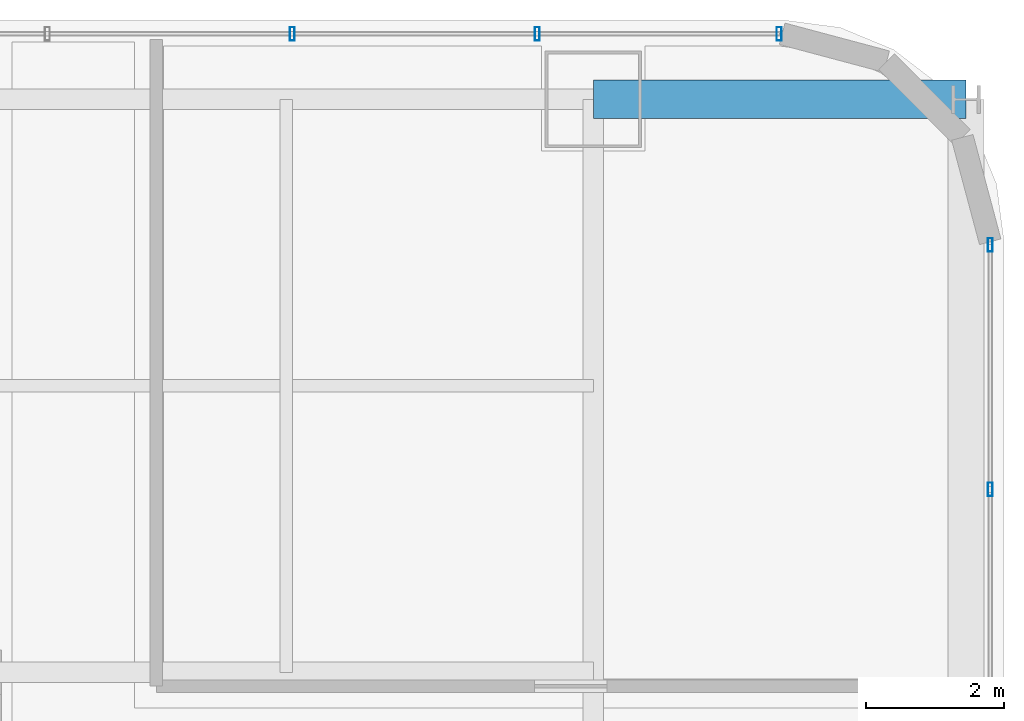
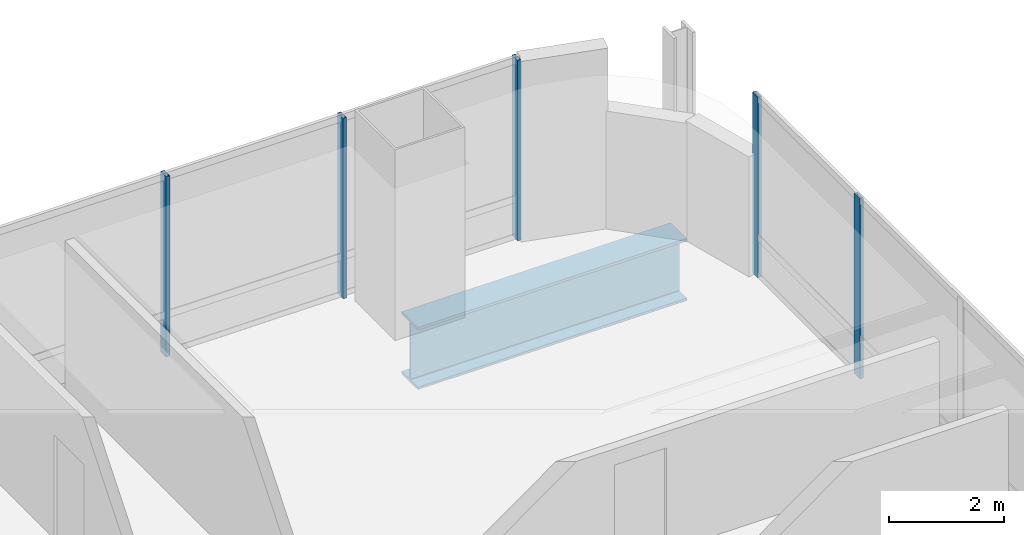
# One storey, part 27 of 37: 5 members, 1 beam, 2 elements without a shape of their own.
"""IFC4 building model written with IfcOpenShell, lengths in metres."""

import ifcopenshell
import ifcopenshell.guid

model = None  # the IFC model being written
_history = None  # IfcOwnerHistory: only IFC2X3 demands one
_inside = {}  # id of a spatial element -> (the spatial element, [elements in it])
_under = {}  # id of a project, library or spatial element -> (it, [spatial elements below it])
_declared = {}  # id of a project -> (the project, [libraries it declares])
_typed = {}  # id of a type object -> (the type object, [elements of that type])
_made_of = {}  # id of a material, layer set ... -> (it, [elements and type objects made of it])


def new_model(schema):
    """Start an empty IFC model of exactly this schema.

    Asked for "IFC4X3", IfcOpenShell would pick the latest addendum, in which some entities
    have other attributes; the version numbers below select the first issue.
    IFC2X3 requires an IfcOwnerHistory on every rooted entity: one is made here for all.
    """
    global model, _history
    if schema == "IFC4X3":
        model = ifcopenshell.file(schema_version=(4, 3, 0, 0))
    else:
        model = ifcopenshell.file(schema=schema)
    _inside.clear()
    _under.clear()
    _declared.clear()
    _typed.clear()
    _made_of.clear()
    _history = None
    if model.schema == "IFC2X3":
        org = make("IfcOrganization", Name="unknown")
        user = make(
            "IfcPersonAndOrganization",
            ThePerson=make("IfcPerson", FamilyName="unknown"),
            TheOrganization=org,
        )
        app = make(
            "IfcApplication",
            ApplicationDeveloper=org,
            Version="unknown",
            ApplicationFullName="unknown",
            ApplicationIdentifier="unknown",
        )
        _history = make(
            "IfcOwnerHistory",
            OwningUser=user,
            OwningApplication=app,
            ChangeAction="ADDED",
            CreationDate=0,
        )
    return model


def make(cls, **values):
    """One entity of the class cls with the attributes given. An attribute that is None is left unset."""
    return model.create_entity(
        cls, **{name: value for name, value in values.items() if value is not None}
    )


def rooted(cls, **values):
    """An entity with a GlobalId (a new one), such as an element, a storey or a relation."""
    return make(cls, GlobalId=ifcopenshell.guid.new(), OwnerHistory=_history, **values)


def si_unit(unit_type, name, prefix=None):
    """IfcSIUnit, for example si_unit("LENGTHUNIT", "METRE", prefix="MILLI")."""
    return make("IfcSIUnit", UnitType=unit_type, Prefix=prefix, Name=name)


def assignment(units):
    """IfcUnitAssignment: the units of a project."""
    return None if units is None else make("IfcUnitAssignment", Units=units)


def point(xyz):
    """IfcCartesianPoint."""
    return None if xyz is None else make("IfcCartesianPoint", Coordinates=xyz)


def direction(xyz):
    """IfcDirection."""
    return None if xyz is None else make("IfcDirection", DirectionRatios=xyz)


def frame(location, z_axis=None, x_axis=None):
    """IfcAxis2Placement3D, a coordinate frame: its origin and axes. An axis left out is left unset."""
    return make(
        "IfcAxis2Placement3D",
        Location=point(location),
        Axis=direction(z_axis),
        RefDirection=direction(x_axis),
    )


def frame_2d(location, x_axis=None):
    """IfcAxis2Placement2D, a coordinate frame in the plane: its origin and x axis."""
    return make(
        "IfcAxis2Placement2D", Location=point(location), RefDirection=direction(x_axis)
    )


def origin():
    """The frame at (0, 0, 0) with its axes left unset."""
    return frame((0.0, 0.0, 0.0))


def origin_2d():
    """The frame at (0, 0) in the plane with its x axis left unset."""
    return frame_2d((0.0, 0.0))


def place(relative_to, where):
    """IfcLocalPlacement: puts the frame where relative to a parent placement (None: the world)."""
    return make(
        "IfcLocalPlacement", PlacementRelTo=relative_to, RelativePlacement=where
    )


def context(
    kind, dimensions, precision=None, world=None, true_north=None, identifier=None
):
    """IfcGeometricRepresentationContext, for example the 3D "Model" context."""
    return make(
        "IfcGeometricRepresentationContext",
        ContextIdentifier=identifier,
        ContextType=kind,
        CoordinateSpaceDimension=dimensions,
        Precision=precision,
        WorldCoordinateSystem=world,
        TrueNorth=true_north,
    )


def subcontext(parent, identifier, kind, view, scale=None):
    """IfcGeometricRepresentationSubContext, for example "Body" below "Model"."""
    return make(
        "IfcGeometricRepresentationSubContext",
        ContextIdentifier=identifier,
        ContextType=kind,
        ParentContext=parent,
        TargetScale=scale,
        TargetView=view,
    )


def project(units=None, contexts=None):
    """IfcProject with its units and contexts."""
    return rooted(
        "IfcProject",
        Name="project",
        RepresentationContexts=contexts,
        UnitsInContext=assignment(units),
    )


def spatial(cls, under=None, at=None, **own):
    """A site, building, storey or space (cls), placed at a placement, below another one or the project."""
    s = rooted(cls, ObjectPlacement=at, **own)
    if under is not None:
        _under.setdefault(under.id(), (under, []))[1].append(s)
    return s


def profile(cls, at=None, kind="AREA", **sizes):
    """A parametric profile (cls). Its sizes go by their IFC names, for example OverallWidth=200.0."""
    return make(cls, ProfileType=kind, Position=at, **sizes)


def hollow_rectangle(**sizes):
    """IfcRectangleHollowProfileDef."""
    return profile("IfcRectangleHollowProfileDef", **sizes)


def i_section(**sizes):
    """IfcIShapeProfileDef."""
    return profile("IfcIShapeProfileDef", **sizes)


def extrude(swept, where, along, depth):
    """IfcExtrudedAreaSolid: the profile swept, set in the frame where, extruded along a direction by depth."""
    return make(
        "IfcExtrudedAreaSolid",
        SweptArea=swept,
        Position=where,
        ExtrudedDirection=direction(along),
        Depth=depth,
    )


def shape(context_of_items, identifier, shape_type, items):
    """IfcShapeRepresentation: the items that make up one representation, for example the "Body"."""
    return make(
        "IfcShapeRepresentation",
        ContextOfItems=context_of_items,
        RepresentationIdentifier=identifier,
        RepresentationType=shape_type,
        Items=items,
    )


def material(Name=None, Category=None):
    """IfcMaterial."""
    return make("IfcMaterial", Name=Name, Category=Category)


def material_profile(
    of_material, cross_section, Name=None, Category=None, Priority=None
):
    """IfcMaterialProfile: a cross section and its material."""
    return make(
        "IfcMaterialProfile",
        Name=Name,
        Material=of_material,
        Profile=cross_section,
        Priority=Priority,
        Category=Category,
    )


def profile_set(profiles, Name=None, composite=None):
    """IfcMaterialProfileSet."""
    return make(
        "IfcMaterialProfileSet",
        Name=Name,
        MaterialProfiles=profiles,
        CompositeProfile=composite,
    )


def made_of(thing, what):
    """Note that an element or type object is made of a material, layer set ...; save() writes the relation."""
    if what is not None:
        _made_of.setdefault(what.id(), (what, []))[1].append(thing)
    return thing


def type_object(cls, material=None, **own):
    """A type object (cls), such as IfcWallType, which elements share."""
    return made_of(rooted(cls, **own), material)


def element(
    cls,
    number,
    at=None,
    inside=None,
    cuts=None,
    type_object=None,
    material=None,
    context=None,
    identifier="Body",
    shape_type=None,
    held_by="IfcProductDefinitionShape",
    body=None,
    shapes=None,
    **own,
):
    """One element of the class cls, such as IfcWall. Its Tag is "e" and its number.

    at: its placement. inside: the storey or other place that contains it. cuts: it is an
    opening in that element (IfcRelVoidsElement). A single representation is given by context,
    identifier, shape_type and body (its items); several are given by shapes. held_by: the class
    of the entity that holds the representations. save() writes the other relations.
    """
    e = rooted(cls, Tag="e%d" % number, ObjectPlacement=at, **own)
    if body is not None:
        shapes = [shape(context, identifier, shape_type, body)]
    if shapes is not None:
        e.Representation = make(held_by, Representations=shapes)
    if inside is not None:
        _inside.setdefault(inside.id(), (inside, []))[1].append(e)
    if cuts is not None:
        rooted(
            "IfcRelVoidsElement", RelatingBuildingElement=cuts, RelatedOpeningElement=e
        )
    if type_object is not None:
        _typed.setdefault(type_object.id(), (type_object, []))[1].append(e)
    return made_of(e, material)


def aggregate(whole, parts):
    """IfcRelAggregates: a whole, such as a stair, and the parts it consists of."""
    return rooted("IfcRelAggregates", RelatingObject=whole, RelatedObjects=parts)


def save(model, path):
    """Write the relations noted so far, then the file.

    IfcRelAggregates (storeys below a building ...), IfcRelContainedInSpatialStructure (elements
    in a storey), IfcRelDefinesByType, IfcRelAssociatesMaterial and IfcRelDeclares: one each for
    every whole, place, type object, material and project.
    """
    for whole, parts in _under.values():
        aggregate(whole, parts)
    for where, things in _inside.values():
        rooted(
            "IfcRelContainedInSpatialStructure",
            RelatedElements=things,
            RelatingStructure=where,
        )
    for kind, things in _typed.values():
        rooted("IfcRelDefinesByType", RelatedObjects=things, RelatingType=kind)
    for what, things in _made_of.values():
        rooted("IfcRelAssociatesMaterial", RelatedObjects=things, RelatingMaterial=what)
    for by, libraries in _declared.values():
        rooted("IfcRelDeclares", RelatingContext=by, RelatedDefinitions=libraries)
    model.write(path)


model = new_model("IFC4")

# Units and contexts
model_context = context("Model", 3, precision=1e-05, world=origin(), true_north=direction((0.0, 1.0)))
body_context = subcontext(model_context, "Body", "Model", "MODEL_VIEW")
ifc_project = project(units=[si_unit("LENGTHUNIT", "METRE"), si_unit("AREAUNIT", "SQUARE_METRE"), si_unit("VOLUMEUNIT", "CUBIC_METRE"), si_unit("PLANEANGLEUNIT", "RADIAN"), si_unit("MASSUNIT", "GRAM", prefix="KILO")], contexts=[model_context])

# Site, building, storey
site_placement = place(None, origin())
site = spatial("IfcSite", under=ifc_project, at=site_placement, CompositionType="ELEMENT")
building_placement = place(site_placement, origin())
building = spatial("IfcBuilding", under=site, at=building_placement, Name="Punatoya Terracotta Tower", CompositionType="ELEMENT")
storey_placement = place(building_placement, frame((0.0, 0.0, 224.85009765625)))
storey = spatial("IfcBuildingStorey", under=building, at=storey_placement, Name="L53", CompositionType="ELEMENT", Elevation=224.85009765625)

# Beam
ifc_material_1 = material(Name="Steel S460", Category="steel")
ifc_material_profile_1 = material_profile(ifc_material_1, i_section(OverallWidth=0.56005859375, OverallDepth=1.320068359375, WebThickness=0.035888671875, FlangeThickness=0.054931640625, FilletRadius=0.01806640625, at=origin_2d()))
ifc_profile_set_1 = profile_set([ifc_material_profile_1], Name="Steel S460")
beam_type = type_object("IfcBeamType", Name="BM-TG-BLK", PredefinedType="BEAM", material=ifc_profile_set_1)
beam_placement = place(storey_placement, frame((19.10009765625, 17.5, -0.880126953125), z_axis=(1.0, 0.0, 0.0), x_axis=(0.0, 1.0, 0.0)))
element("IfcBeam", 1, at=beam_placement, inside=storey, type_object=beam_type, Name="BM-L53-CANT-E4", PredefinedType="BEAM", context=body_context, shape_type="SweptSolid", body=[
    extrude(i_section(OverallWidth=0.56005859375, OverallDepth=1.320068359375, WebThickness=0.035888671875, FlangeThickness=0.054931640625, FilletRadius=0.01806640625, at=origin_2d()), origin(), (0.0, 0.0, 1.0), 5.39990234375),
])

# Curtain wall, members
ifc_material_2 = material(Name="Aluminium 6063-T6 + Double Low-E Glass", Category="aluminium")
curtain_wall_type = type_object("IfcCurtainWallType", Name="CW-M2", PredefinedType="NOTDEFINED", material=ifc_material_2)
curtain_wall_1_placement = place(storey_placement, origin())
curtain_wall_1 = element("IfcCurtainWall", 2, at=curtain_wall_1_placement, inside=storey, type_object=curtain_wall_type, Name="L53 Curtain Wall CW-L53-E04-1", PredefinedType="NOTDEFINED")
ifc_material_3 = material(Name="Aluminium 6063-T6", Category="aluminium")
ifc_material_profile_2 = material_profile(ifc_material_3, hollow_rectangle(XDim=0.072021484375, YDim=0.195068359375, WallThickness=0.00439453125, at=origin_2d()))
ifc_profile_set_2 = profile_set([ifc_material_profile_2], Name="Aluminium 6063-T6")
member_type = type_object("IfcMemberType", Name="CW-MUL-M2", PredefinedType="MULLION", material=ifc_profile_set_2)
member_1_placement = place(storey_placement, frame((24.85009765625, 11.849609375, 0.0), z_axis=(0.0, 0.0, 1.0), x_axis=(1.0, 0.0, 0.0)))
member_1 = element("IfcMember", 3, at=member_1_placement, type_object=member_type, Name="CW-L53-E04-1 Mullion 08", PredefinedType="MULLION", context=body_context, shape_type="SweptSolid", body=[
    extrude(hollow_rectangle(XDim=0.072021484375, YDim=0.195068359375, WallThickness=0.00439453125, at=origin_2d()), origin(), (0.0, 0.0, 1.0), 3.829833984375),
])
member_2_placement = place(storey_placement, frame((24.85009765625, 15.391845703125, 0.0), z_axis=(0.0, 0.0, 1.0), x_axis=(1.0, 0.0, 0.0)))
member_2 = element("IfcMember", 4, at=member_2_placement, type_object=member_type, Name="CW-L53-E04-1 Mullion 09", PredefinedType="MULLION", context=body_context, shape_type="SweptSolid", body=[
    extrude(hollow_rectangle(XDim=0.072021484375, YDim=0.195068359375, WallThickness=0.00439453125, at=origin_2d()), origin(), (0.0, 0.0, 1.0), 3.829833984375),
])
aggregate(curtain_wall_1, [member_1, member_2])

curtain_wall_2_placement = place(storey_placement, origin())
curtain_wall_2 = element("IfcCurtainWall", 5, at=curtain_wall_2_placement, inside=storey, type_object=curtain_wall_type, Name="L53 Curtain Wall CW-L53-N08-1", PredefinedType="NOTDEFINED")
member_3_placement = place(storey_placement, frame((21.7919921875, 18.449951171875, 0.0), z_axis=(0.0, 0.0, 1.0), x_axis=(1.0, 0.0, 0.0)))
member_3 = element("IfcMember", 6, at=member_3_placement, type_object=member_type, Name="CW-L53-N08-1 Mullion 00", PredefinedType="MULLION", context=body_context, shape_type="SweptSolid", body=[
    extrude(hollow_rectangle(XDim=0.072021484375, YDim=0.195068359375, WallThickness=0.00439453125, at=origin_2d()), origin(), (0.0, 0.0, 1.0), 3.829833984375),
])
member_4_placement = place(storey_placement, frame((18.2880859375, 18.449951171875, 0.0), z_axis=(0.0, 0.0, 1.0), x_axis=(1.0, 0.0, 0.0)))
member_4 = element("IfcMember", 7, at=member_4_placement, type_object=member_type, Name="CW-L53-N08-1 Mullion 01", PredefinedType="MULLION", context=body_context, shape_type="SweptSolid", body=[
    extrude(hollow_rectangle(XDim=0.072021484375, YDim=0.195068359375, WallThickness=0.00439453125, at=origin_2d()), origin(), (0.0, 0.0, 1.0), 3.829833984375),
])
member_5_placement = place(storey_placement, frame((14.739501953125, 18.449951171875, 0.0), z_axis=(0.0, 0.0, 1.0), x_axis=(1.0, 0.0, 0.0)))
member_5 = element("IfcMember", 8, at=member_5_placement, type_object=member_type, Name="CW-L53-N08-1 Mullion 02", PredefinedType="MULLION", context=body_context, shape_type="SweptSolid", body=[
    extrude(hollow_rectangle(XDim=0.072021484375, YDim=0.195068359375, WallThickness=0.00439453125, at=origin_2d()), origin(), (0.0, 0.0, 1.0), 3.829833984375),
])
aggregate(curtain_wall_2, [member_3, member_4, member_5])

save(model, "model.ifc")
